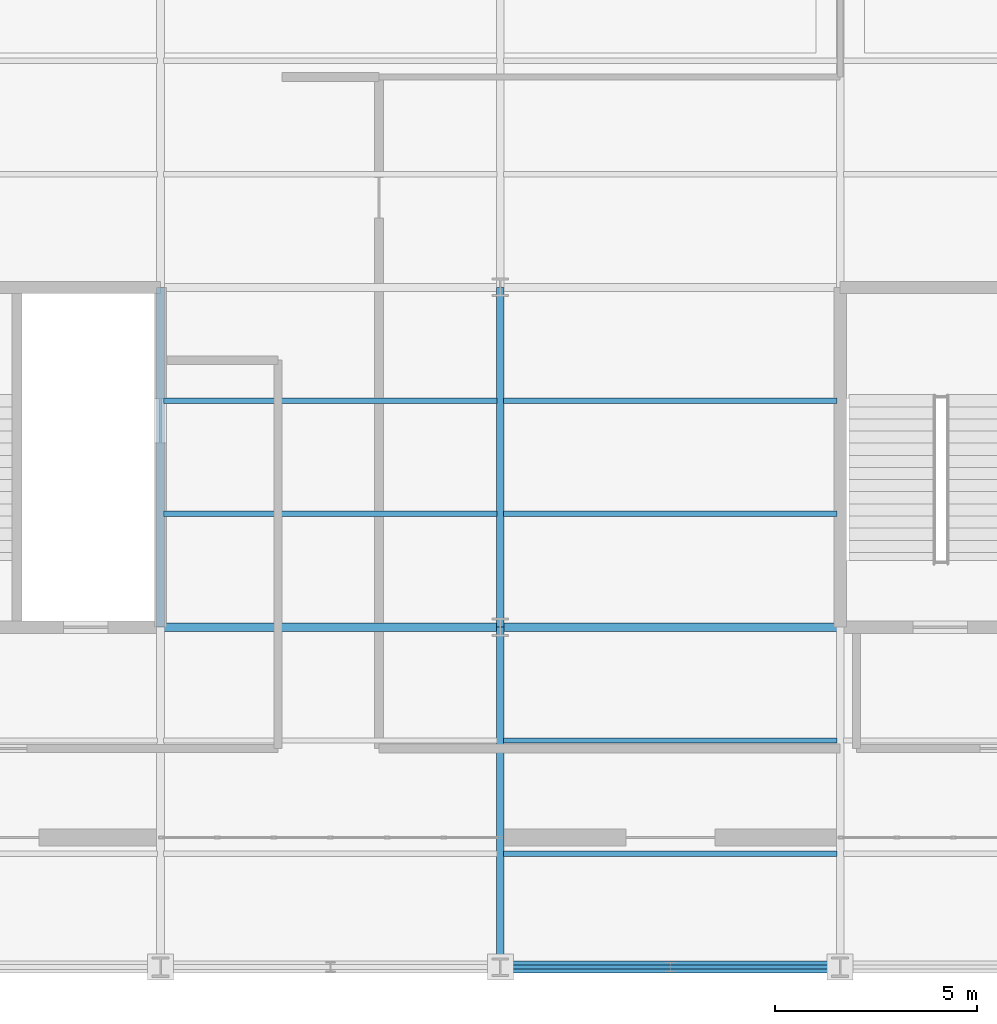
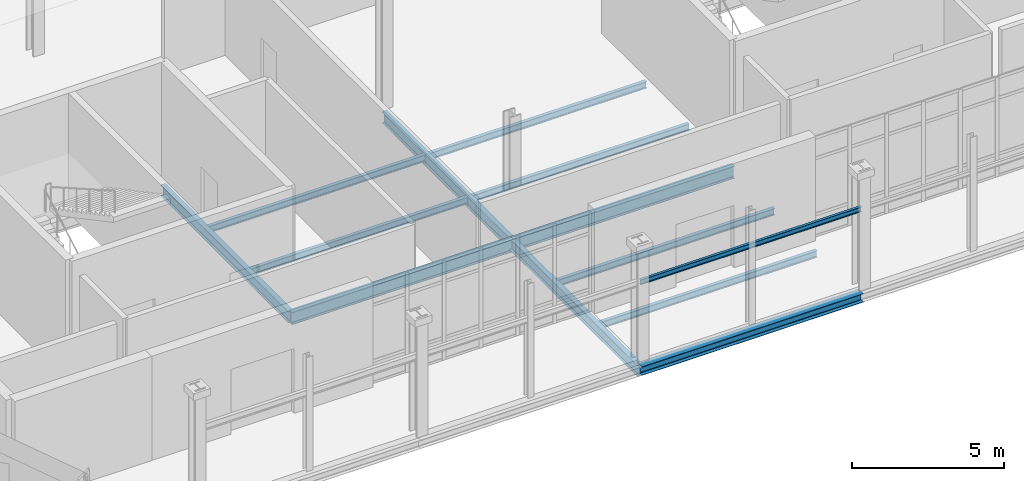
# One storey, part 24 of 145: 13 beams.
"""IFC4 building model written with IfcOpenShell, lengths in metres."""

from ifc_helpers import new_model, si_unit, direction, frame, origin, origin_2d, place, context, subcontext, project, spatial, i_section, extrude, material, material_profile, profile_set, type_object, element, save


model = new_model("IFC4")

# Units and contexts
model_context = context("Model", 3, precision=1e-05, world=origin(), true_north=direction((0.0, 1.0)))
body_context = subcontext(model_context, "Body", "Model", "MODEL_VIEW")
ifc_project = project(units=[si_unit("LENGTHUNIT", "METRE"), si_unit("AREAUNIT", "SQUARE_METRE"), si_unit("VOLUMEUNIT", "CUBIC_METRE"), si_unit("PLANEANGLEUNIT", "RADIAN"), si_unit("MASSUNIT", "GRAM", prefix="KILO")], contexts=[model_context])

# Site, building, storey
site_placement = place(None, origin())
site = spatial("IfcSite", under=ifc_project, at=site_placement, CompositionType="ELEMENT")
building_placement = place(site_placement, origin())
building = spatial("IfcBuilding", under=site, at=building_placement, Name="Qalvenar Corner Mobility Hub", CompositionType="ELEMENT")
storey_placement = place(building_placement, origin())
storey = spatial("IfcBuildingStorey", under=building, at=storey_placement, Name="L00", CompositionType="ELEMENT", Elevation=0.0)

# Beams
ifc_material = material(Name="Steel S355", Category="steel")
ifc_material_profile_1 = material_profile(ifc_material, i_section(OverallWidth=0.18994140625, OverallDepth=0.449951171875, WebThickness=0.009521484375, FlangeThickness=0.0146484375, FilletRadius=0.02099609375, at=origin_2d()), Name="IPE450")
ifc_profile_set_1 = profile_set([ifc_material_profile_1], Name="Steel S355")
beam_type_1 = type_object("IfcBeamType", Name="BM-IPE450", PredefinedType="BEAM", material=ifc_profile_set_1)
beam_1_placement = place(storey_placement, frame((16.800048828125, 8.39990234375, -0.445068359375), z_axis=(0.0, 1.0, 0.0), x_axis=(-1.0, 0.0, 0.0)))
element("IfcBeam", 1, at=beam_1_placement, inside=storey, type_object=beam_type_1, Name="Primary Steel Girder GY-0048", PredefinedType="BEAM", context=body_context, shape_type="SweptSolid", body=[
    extrude(i_section(OverallWidth=0.18994140625, OverallDepth=0.449951171875, WebThickness=0.009521484375, FlangeThickness=0.0146484375, FilletRadius=0.02099609375, at=origin_2d()), origin(), (0.0, 0.0, 1.0), 8.400146484375),
])
beam_2_placement = place(storey_placement, frame((25.199951171875, 0.0, -0.445068359375), z_axis=(0.0, 1.0, 0.0), x_axis=(-1.0, 0.0, 0.0)))
element("IfcBeam", 2, at=beam_2_placement, inside=storey, type_object=beam_type_1, Name="Primary Steel Girder GY-0052", PredefinedType="BEAM", context=body_context, shape_type="SweptSolid", body=[
    extrude(i_section(OverallWidth=0.18994140625, OverallDepth=0.449951171875, WebThickness=0.009521484375, FlangeThickness=0.0146484375, FilletRadius=0.02099609375, at=origin_2d()), origin(), (0.0, 0.0, 1.0), 8.39990234375),
])
beam_3_placement = place(storey_placement, frame((25.199951171875, 8.39990234375, -0.445068359375), z_axis=(0.0, 1.0, 0.0), x_axis=(-1.0, 0.0, 0.0)))
element("IfcBeam", 3, at=beam_3_placement, inside=storey, type_object=beam_type_1, Name="Primary Steel Girder GY-0053", PredefinedType="BEAM", context=body_context, shape_type="SweptSolid", body=[
    extrude(i_section(OverallWidth=0.18994140625, OverallDepth=0.449951171875, WebThickness=0.009521484375, FlangeThickness=0.0146484375, FilletRadius=0.02099609375, at=origin_2d()), origin(), (0.0, 0.0, 1.0), 8.400146484375),
])
ifc_material_profile_2 = material_profile(ifc_material, i_section(OverallWidth=0.199951171875, OverallDepth=0.5, WebThickness=0.01025390625, FlangeThickness=0.01611328125, FilletRadius=0.02099609375, at=origin_2d()), Name="IPE500")
ifc_profile_set_2 = profile_set([ifc_material_profile_2], Name="Steel S355")
beam_type_2 = type_object("IfcBeamType", Name="BM-IPE500", PredefinedType="BEAM", material=ifc_profile_set_2)
beam_4_placement = place(storey_placement, frame((16.800048828125, 8.39990234375, -0.469970703125), z_axis=(1.0, 0.0, 0.0), x_axis=(0.0, 1.0, 0.0)))
element("IfcBeam", 4, at=beam_4_placement, inside=storey, type_object=beam_type_2, Name="Primary Steel Girder GX-0009", PredefinedType="BEAM", context=body_context, shape_type="SweptSolid", body=[
    extrude(i_section(OverallWidth=0.199951171875, OverallDepth=0.5, WebThickness=0.01025390625, FlangeThickness=0.01611328125, FilletRadius=0.02099609375, at=origin_2d()), origin(), (0.0, 0.0, 1.0), 8.39990234375),
])
beam_5_placement = place(storey_placement, frame((25.199951171875, 8.39990234375, -0.469970703125), z_axis=(1.0, 0.0, 0.0), x_axis=(0.0, 1.0, 0.0)))
element("IfcBeam", 5, at=beam_5_placement, inside=storey, type_object=beam_type_2, Name="Primary Steel Girder GX-0010", PredefinedType="BEAM", context=body_context, shape_type="SweptSolid", body=[
    extrude(i_section(OverallWidth=0.199951171875, OverallDepth=0.5, WebThickness=0.01025390625, FlangeThickness=0.01611328125, FilletRadius=0.02099609375, at=origin_2d()), origin(), (0.0, 0.0, 1.0), 8.400146484375),
])
ifc_material_profile_3 = material_profile(ifc_material, i_section(OverallWidth=0.135009765625, OverallDepth=0.27001953125, WebThickness=0.006591796875, FlangeThickness=0.01025390625, FilletRadius=0.014892578125, at=origin_2d()), Name="IPE270")
ifc_profile_set_3 = profile_set([ifc_material_profile_3], Name="Steel S355")
beam_type_3 = type_object("IfcBeamType", Name="BM-JST270", PredefinedType="JOIST", material=ifc_profile_set_3)
for number, where, z_axis, x_axis, name in (
    (6, (16.8779296875, 11.199951171875, -0.35498046875), (1.0, 0.0, 0.0), (0.0, 1.0, 0.0), "Composite Floor Joist J-0093"),
    (7, (16.8779296875, 14.0, -0.35498046875), (1.0, 0.0, 0.0), (0.0, 1.0, 0.0), "Composite Floor Joist J-0094"),
):
    element("IfcBeam", number, at=place(storey_placement, frame(where, z_axis=z_axis, x_axis=x_axis)), inside=storey, type_object=beam_type_3, Name=name, PredefinedType="JOIST", context=body_context, shape_type="SweptSolid", body=[
        extrude(i_section(OverallWidth=0.135009765625, OverallDepth=0.27001953125, WebThickness=0.006591796875, FlangeThickness=0.01025390625, FilletRadius=0.014892578125, at=origin_2d()), origin(), (0.0, 0.0, 1.0), 8.244140625),
    ])
for number, where, z_axis, x_axis, name in (
    (8, (25.278076171875, 2.800048828125, -0.35498046875), (1.0, 0.0, 0.0), (0.0, 1.0, 0.0), "Composite Floor Joist J-0101"),
    (9, (25.278076171875, 5.60009765625, -0.35498046875), (1.0, 0.0, 0.0), (0.0, 1.0, 0.0), "Composite Floor Joist J-0102"),
    (10, (25.278076171875, 11.199951171875, -0.35498046875), (1.0, 0.0, 0.0), (0.0, 1.0, 0.0), "Composite Floor Joist J-0103"),
    (11, (25.278076171875, 14.0, -0.35498046875), (1.0, 0.0, 0.0), (0.0, 1.0, 0.0), "Composite Floor Joist J-0104"),
):
    element("IfcBeam", number, at=place(storey_placement, frame(where, z_axis=z_axis, x_axis=x_axis)), inside=storey, type_object=beam_type_3, Name=name, PredefinedType="JOIST", context=body_context, shape_type="SweptSolid", body=[
        extrude(i_section(OverallWidth=0.135009765625, OverallDepth=0.27001953125, WebThickness=0.006591796875, FlangeThickness=0.01025390625, FilletRadius=0.014892578125, at=origin_2d()), origin(), (0.0, 0.0, 1.0), 8.243896484375),
    ])
ifc_material_profile_4 = material_profile(ifc_material, i_section(OverallWidth=0.10009765625, OverallDepth=0.199951171875, WebThickness=0.005615234375, FlangeThickness=0.008544921875, FilletRadius=0.011962890625, at=origin_2d()), Name="IPE200")
ifc_profile_set_4 = profile_set([ifc_material_profile_4], Name="Steel S355")
beam_type_4 = type_object("IfcBeamType", Name="BM-LNT200", PredefinedType="LINTEL", material=ifc_profile_set_4)
beam_6_placement = place(storey_placement, frame((25.199951171875, 0.0, 3.10009765625), z_axis=(1.0, 0.0, 0.0), x_axis=(0.0, 1.0, 0.0)))
element("IfcBeam", 12, at=beam_6_placement, inside=storey, type_object=beam_type_4, Name="Colonnade Shade Transom PRG-3", PredefinedType="LINTEL", context=body_context, shape_type="SweptSolid", body=[
    extrude(i_section(OverallWidth=0.10009765625, OverallDepth=0.199951171875, WebThickness=0.005615234375, FlangeThickness=0.008544921875, FilletRadius=0.011962890625, at=origin_2d()), origin(), (0.0, 0.0, 1.0), 8.400146484375),
])
ifc_material_profile_5 = material_profile(ifc_material, i_section(OverallWidth=0.300048828125, OverallDepth=0.35009765625, WebThickness=0.010009765625, FlangeThickness=0.017578125, FilletRadius=0.027099609375, at=origin_2d()), Name="HEA360")
ifc_profile_set_5 = profile_set([ifc_material_profile_5], Name="Steel S355")
beam_type_5 = type_object("IfcBeamType", Name="BM-SPN360", PredefinedType="SPANDREL", material=ifc_profile_set_5)
beam_7_placement = place(storey_placement, frame((25.199951171875, 0.0, -0.39501953125), z_axis=(1.0, 0.0, 0.0), x_axis=(0.0, 1.0, 0.0)))
element("IfcBeam", 13, at=beam_7_placement, inside=storey, type_object=beam_type_5, Name="Primary Steel Girder GX-0004", PredefinedType="SPANDREL", context=body_context, shape_type="SweptSolid", body=[
    extrude(i_section(OverallWidth=0.300048828125, OverallDepth=0.35009765625, WebThickness=0.010009765625, FlangeThickness=0.017578125, FilletRadius=0.027099609375, at=origin_2d()), origin(), (0.0, 0.0, 1.0), 8.400146484375),
])

save(model, "model.ifc")
